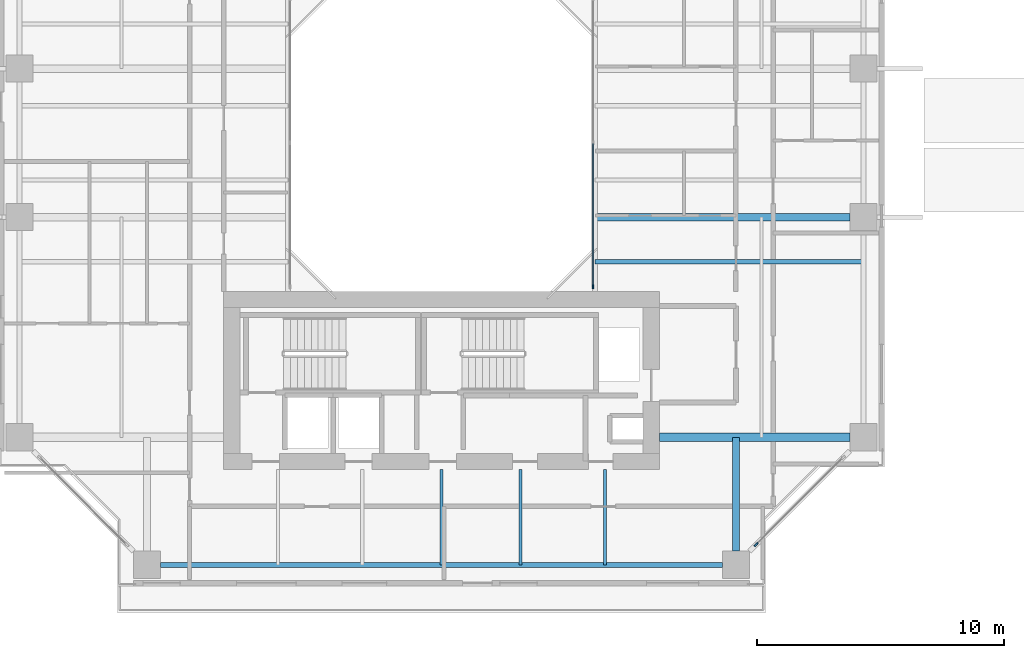
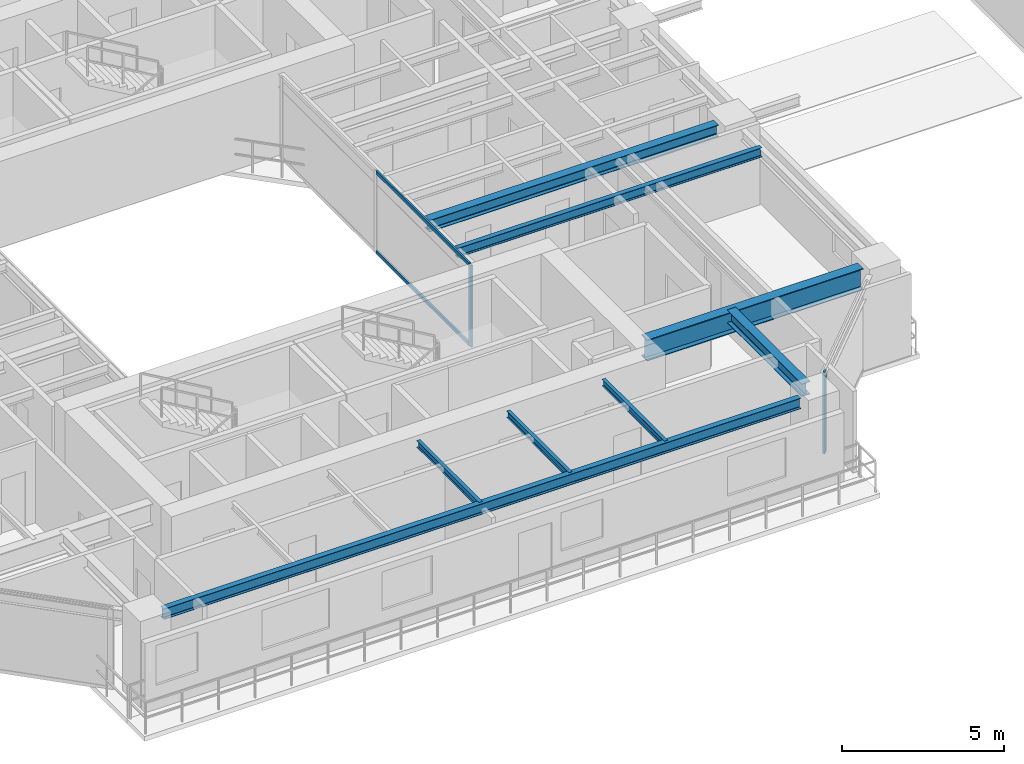
# One storey, part 4 of 23: 8 beams, 4 members, 2 elements without a shape of their own.
"""IFC4 building model written with IfcOpenShell, lengths in metres."""

from ifc_helpers import new_model, si_unit, direction, frame, origin, origin_2d, place, context, subcontext, project, spatial, rectangle, i_section, extrude, source, transform, mapped, material, layer, layer_set, material_profile, profile_set, type_object, element, aggregate, save


model = new_model("IFC4")

# Units and contexts
model_context = context("Model", 3, precision=1e-05, world=origin(), true_north=direction((0.0, 1.0)))
body_context = subcontext(model_context, "Body", "Model", "MODEL_VIEW")
ifc_project = project(units=[si_unit("LENGTHUNIT", "METRE"), si_unit("AREAUNIT", "SQUARE_METRE"), si_unit("VOLUMEUNIT", "CUBIC_METRE"), si_unit("PLANEANGLEUNIT", "RADIAN"), si_unit("MASSUNIT", "GRAM", prefix="KILO"), si_unit("THERMODYNAMICTEMPERATUREUNIT", "KELVIN"), si_unit("POWERUNIT", "WATT")], contexts=[model_context])

# Site, building, storey
site_placement = place(None, origin())
site = spatial("IfcSite", under=ifc_project, at=site_placement, CompositionType="ELEMENT")
building_placement = place(site_placement, origin())
building = spatial("IfcBuilding", under=site, at=building_placement, Name="Qiaomeng Ring Towers", CompositionType="ELEMENT")
storey_placement = place(building_placement, frame((0.0, 0.0, 97.0)))
storey = spatial("IfcBuildingStorey", under=building, at=storey_placement, Name="L27", CompositionType="ELEMENT", Elevation=97.0)

# Beams
ifc_material_1 = material(Name="Steel Q355B", Category="steel")
ifc_material_profile_1 = material_profile(ifc_material_1, i_section(OverallWidth=0.199951171875, OverallDepth=0.39990234375, WebThickness=0.008056640625, FlangeThickness=0.012939453125, FilletRadius=0.01611328125, at=origin_2d()), Name="HN 400x200x8x13")
ifc_profile_set_1 = profile_set([ifc_material_profile_1], Name="Steel Q355B")
beam_type_1 = type_object("IfcBeamType", Name="STR-BM-HN400", PredefinedType="SPANDREL", material=ifc_profile_set_1)
shared_shape_1 = source(origin(), body_context, "Body", "SweptSolid", [
    extrude(i_section(OverallWidth=0.199951171875, OverallDepth=0.39990234375, WebThickness=0.008056640625, FlangeThickness=0.012939453125, FilletRadius=0.01611328125, at=origin_2d()), origin(), (0.0, 0.0, 1.0), 22.7021484375),
])
beam_1_placement = place(storey_placement, frame((7.64892578125, 5.949951171875, 2.8701171875), z_axis=(1.0, 0.0, 0.0), x_axis=(0.0, 1.0, 0.0)))
element("IfcBeam", 1, at=beam_1_placement, inside=storey, type_object=beam_type_1, Name="L27 beam STR-SP-L27-T1-S1-S2", PredefinedType="SPANDREL", context=body_context, shape_type="MappedRepresentation", body=[
    mapped(shared_shape_1, transform((0.0, 0.0, 0.0), x_axis=(1.0, 0.0, 0.0), y_axis=(0.0, 1.0, 0.0), z_axis=(0.0, 0.0, 1.0), scale=1.0)),
])
ifc_material_2 = material(Name="Steel Q390GJC", Category="steel")
ifc_material_profile_2 = material_profile(ifc_material_2, i_section(OverallWidth=0.35009765625, OverallDepth=0.800048828125, WebThickness=0.01611328125, FlangeThickness=0.028076171875, at=origin_2d()), Name="WH 800x350x16x28")
ifc_profile_set_2 = profile_set([ifc_material_profile_2], Name="Steel Q390GJC")
beam_type_2 = type_object("IfcBeamType", Name="STR-BM-WH800", PredefinedType="BEAM", material=ifc_profile_set_2)
shared_shape_2 = source(origin(), body_context, "Body", "SweptSolid", [
    extrude(i_section(OverallWidth=0.35009765625, OverallDepth=0.800048828125, WebThickness=0.01611328125, FlangeThickness=0.028076171875, at=origin_2d()), origin(), (0.0, 0.0, 1.0), 7.700927734375),
])
beam_2_placement = place(storey_placement, frame((27.800048828125, 11.10009765625, 2.669921875), z_axis=(1.0, 0.0, 0.0), x_axis=(0.0, 1.0, 0.0)))
element("IfcBeam", 2, at=beam_2_placement, inside=storey, type_object=beam_type_2, Name="L27 beam STR-BM-L27-T1-RAD-E1", PredefinedType="BEAM", context=body_context, shape_type="MappedRepresentation", body=[
    mapped(shared_shape_2, transform((0.0, 0.0, 0.0), x_axis=(1.0, 0.0, 0.0), y_axis=(0.0, 1.0, 0.0), z_axis=(0.0, 0.0, 1.0), scale=1.0)),
])
ifc_material_profile_3 = material_profile(ifc_material_1, i_section(OverallWidth=0.300048828125, OverallDepth=0.488037109375, WebThickness=0.010986328125, FlangeThickness=0.01806640625, FilletRadius=0.02587890625, at=origin_2d()), Name="HM 488x300x11x18")
ifc_profile_set_3 = profile_set([ifc_material_profile_3], Name="Steel Q355B")
beam_type_3 = type_object("IfcBeamType", Name="STR-BM-HM488", PredefinedType="BEAM", material=ifc_profile_set_3)
shared_shape_3 = source(origin(), body_context, "Body", "SweptSolid", [
    extrude(i_section(OverallWidth=0.300048828125, OverallDepth=0.488037109375, WebThickness=0.010986328125, FlangeThickness=0.01806640625, FilletRadius=0.02587890625, at=origin_2d()), origin(), (0.0, 0.0, 1.0), 4.60107421875),
])
beam_3_placement = place(storey_placement, frame((30.89990234375, 6.4990234375, 2.825927734375), z_axis=(0.0, 1.0, 0.0), x_axis=(-1.0, 0.0, 0.0)))
element("IfcBeam", 3, at=beam_3_placement, inside=storey, type_object=beam_type_3, Name="L27 beam STR-BM-L27-T1-RAD-S2", PredefinedType="BEAM", context=body_context, shape_type="MappedRepresentation", body=[
    mapped(shared_shape_3, transform((0.0, 0.0, 0.0), x_axis=(1.0, 0.0, 0.0), y_axis=(0.0, 1.0, 0.0), z_axis=(0.0, 0.0, 1.0), scale=1.0)),
])
ifc_material_profile_4 = material_profile(ifc_material_1, i_section(OverallWidth=0.300048828125, OverallDepth=0.43994140625, WebThickness=0.010986328125, FlangeThickness=0.01806640625, FilletRadius=0.02392578125, at=origin_2d()), Name="HM 440x300x11x18")
ifc_profile_set_4 = profile_set([ifc_material_profile_4], Name="Steel Q355B")
beam_type_4 = type_object("IfcBeamType", Name="STR-BM-HM440", PredefinedType="BEAM", material=ifc_profile_set_4)
shared_shape_4 = source(origin(), body_context, "Body", "SweptSolid", [
    extrude(i_section(OverallWidth=0.300048828125, OverallDepth=0.43994140625, WebThickness=0.010986328125, FlangeThickness=0.01806640625, FilletRadius=0.02392578125, at=origin_2d()), origin(), (0.0, 0.0, 1.0), 10.301025390625),
])
beam_4_placement = place(storey_placement, frame((25.199951171875, 20.0, 2.85009765625), z_axis=(1.0, 0.0, 0.0), x_axis=(0.0, 1.0, 0.0)))
element("IfcBeam", 4, at=beam_4_placement, inside=storey, type_object=beam_type_4, Name="L27 beam STR-BM-L27-T1-RAD-E2", PredefinedType="BEAM", context=body_context, shape_type="MappedRepresentation", body=[
    mapped(shared_shape_4, transform((0.0, 0.0, 0.0), x_axis=(1.0, 0.0, 0.0), y_axis=(0.0, 1.0, 0.0), z_axis=(0.0, 0.0, 1.0), scale=1.0)),
])
ifc_material_profile_5 = material_profile(ifc_material_1, i_section(OverallWidth=0.125, OverallDepth=0.25, WebThickness=0.006103515625, FlangeThickness=0.009033203125, FilletRadius=0.011962890625, at=origin_2d()), Name="HN 250x125x6x9")
ifc_profile_set_5 = profile_set([ifc_material_profile_5], Name="Steel Q355B")
beam_type_5 = type_object("IfcBeamType", Name="STR-BM-HN250", PredefinedType="JOIST", material=ifc_profile_set_5)
shared_shape_5 = source(origin(), body_context, "Body", "SweptSolid", [
    extrude(i_section(OverallWidth=0.125, OverallDepth=0.25, WebThickness=0.006103515625, FlangeThickness=0.009033203125, FilletRadius=0.011962890625, at=origin_2d()), origin(), (0.0, 0.0, 1.0), 3.85009765625),
])
for number, where, z_axis, x_axis, name in (
    (5, (19.0, 5.949951171875, 2.945068359375), (0.0, 1.0, 0.0), (-1.0, 0.0, 0.0), "L27 beam STR-JST-L27-T1S-3"),
    (6, (22.199951171875, 5.949951171875, 2.945068359375), (0.0, 1.0, 0.0), (-1.0, 0.0, 0.0), "L27 beam STR-JST-L27-T1S-4"),
    (7, (25.60009765625, 5.949951171875, 2.945068359375), (0.0, 1.0, 0.0), (-1.0, 0.0, 0.0), "L27 beam STR-JST-L27-T1S-5"),
):
    element("IfcBeam", number, at=place(storey_placement, frame(where, z_axis=z_axis, x_axis=x_axis)), inside=storey, type_object=beam_type_5, Name=name, PredefinedType="JOIST", context=body_context, shape_type="MappedRepresentation", body=[
        mapped(shared_shape_5, transform((0.0, 0.0, 0.0), x_axis=(1.0, 0.0, 0.0), y_axis=(0.0, 1.0, 0.0), z_axis=(0.0, 0.0, 1.0), scale=1.0)),
    ])
ifc_material_profile_6 = material_profile(ifc_material_1, i_section(OverallWidth=0.175048828125, OverallDepth=0.35009765625, WebThickness=0.007080078125, FlangeThickness=0.010986328125, FilletRadius=0.013916015625, at=origin_2d()), Name="HN 350x175x7x11")
ifc_profile_set_6 = profile_set([ifc_material_profile_6], Name="Steel Q355B")
beam_type_6 = type_object("IfcBeamType", Name="STR-BM-HN350", PredefinedType="JOIST", material=ifc_profile_set_6)
shared_shape_6 = source(origin(), body_context, "Body", "SweptSolid", [
    extrude(i_section(OverallWidth=0.175048828125, OverallDepth=0.35009765625, WebThickness=0.007080078125, FlangeThickness=0.010986328125, FilletRadius=0.013916015625, at=origin_2d()), origin(), (0.0, 0.0, 1.0), 10.85009765625),
])
beam_5_placement = place(storey_placement, frame((25.199951171875, 18.199951171875, 2.89501953125), z_axis=(1.0, 0.0, 0.0), x_axis=(0.0, 1.0, 0.0)))
element("IfcBeam", 8, at=beam_5_placement, inside=storey, type_object=beam_type_6, Name="L27 beam STR-JST-L27-T1E-1", PredefinedType="JOIST", context=body_context, shape_type="MappedRepresentation", body=[
    mapped(shared_shape_6, transform((0.0, 0.0, 0.0), x_axis=(1.0, 0.0, 0.0), y_axis=(0.0, 1.0, 0.0), z_axis=(0.0, 0.0, 1.0), scale=1.0)),
])

# Curtain wall, members
ifc_material_3 = material(Name="Fluorocarbon dark-grey aluminium", Category="aluminium")
ifc_layer_1 = layer(ifc_material_3, 0.139892578125, Name="Fluorocarbon dark-grey aluminium")
ifc_layer_set_1 = layer_set([ifc_layer_1], Name="Fluorocarbon dark-grey aluminium")
curtain_wall_type_1 = type_object("IfcCurtainWallType", Name="ARC-CW-4", PredefinedType="NOTDEFINED", material=ifc_layer_set_1)
curtain_wall_1_placement = place(storey_placement, origin())
curtain_wall_1 = element("IfcCurtainWall", 9, at=curtain_wall_1_placement, inside=storey, type_object=curtain_wall_type_1, Name="L27 Curtain Wall CW4", PredefinedType="NOTDEFINED")
ifc_material_profile_7 = material_profile(ifc_material_3, rectangle(XDim=0.06494140625, YDim=0.159912109375, at=origin_2d()), Name="ALU MULL 65x160")
ifc_profile_set_7 = profile_set([ifc_material_profile_7], Name="Fluorocarbon dark-grey aluminium")
member_type_1 = type_object("IfcMemberType", Name="ARC-CWM-140", PredefinedType="MULLION", material=ifc_profile_set_7)
shared_shape_7 = source(origin(), body_context, "Body", "SweptSolid", [
    extrude(rectangle(XDim=0.06494140625, YDim=0.159912109375, at=origin_2d()), origin(), (0.0, 0.0, 1.0), 3.070068359375),
])
member_1_placement = place(storey_placement, frame((25.1201171875, 17.1826171875, 0.0), z_axis=(0.0, 0.0, 1.0), x_axis=(-1.0, 0.0, 0.0)))
member_1 = element("IfcMember", 10, at=member_1_placement, type_object=member_type_1, Name="CW4 mullion 1", PredefinedType="MULLION", context=body_context, shape_type="MappedRepresentation", body=[
    mapped(shared_shape_7, transform((0.0, 0.0, 0.0), x_axis=(1.0, 0.0, 0.0), y_axis=(0.0, 1.0, 0.0), z_axis=(0.0, 0.0, 1.0), scale=1.0)),
])
ifc_material_profile_8 = material_profile(ifc_material_3, rectangle(XDim=0.06494140625, YDim=0.1298828125, at=origin_2d()), Name="ALU TRAN 65x130")
ifc_profile_set_8 = profile_set([ifc_material_profile_8], Name="Fluorocarbon dark-grey aluminium")
member_type_2 = type_object("IfcMemberType", Name="ARC-CWT-120", PredefinedType="USERDEFINED", material=ifc_profile_set_8)
shared_shape_8 = source(origin(), body_context, "Body", "SweptSolid", [
    extrude(rectangle(XDim=0.06494140625, YDim=0.1298828125, at=origin_2d()), origin(), (0.0, 0.0, 1.0), 5.75244140625),
])
member_2_placement = place(storey_placement, frame((25.1201171875, 17.215087890625, 0.032470703125), z_axis=(0.0, 1.0, 0.0), x_axis=(-1.0, 0.0, 0.0)))
member_2 = element("IfcMember", 11, at=member_2_placement, type_object=member_type_2, Name="CW4 transom 1.1", ObjectType="TRANSOM", PredefinedType="USERDEFINED", context=body_context, shape_type="MappedRepresentation", body=[
    mapped(shared_shape_8, transform((0.0, 0.0, 0.0), x_axis=(1.0, 0.0, 0.0), y_axis=(0.0, 1.0, 0.0), z_axis=(0.0, 0.0, 1.0), scale=1.0)),
])
member_3_placement = place(storey_placement, frame((25.1201171875, 17.215087890625, 3.03759765625), z_axis=(0.0, 1.0, 0.0), x_axis=(-1.0, 0.0, 0.0)))
member_3 = element("IfcMember", 12, at=member_3_placement, type_object=member_type_2, Name="CW4 transom 1.2", ObjectType="TRANSOM", PredefinedType="USERDEFINED", context=body_context, shape_type="MappedRepresentation", body=[
    mapped(shared_shape_8, transform((0.0, 0.0, 0.0), x_axis=(1.0, 0.0, 0.0), y_axis=(0.0, 1.0, 0.0), z_axis=(0.0, 0.0, 1.0), scale=1.0)),
])
aggregate(curtain_wall_1, [member_1, member_2, member_3])

# Curtain wall, member
ifc_layer_2 = layer(ifc_material_3, 0.14990234375, Name="Fluorocarbon dark-grey aluminium")
ifc_layer_set_2 = layer_set([ifc_layer_2], Name="Fluorocarbon dark-grey aluminium")
curtain_wall_type_2 = type_object("IfcCurtainWallType", Name="ARC-CW-3", PredefinedType="NOTDEFINED", material=ifc_layer_set_2)
curtain_wall_2_placement = place(storey_placement, origin())
curtain_wall_2 = element("IfcCurtainWall", 13, at=curtain_wall_2_placement, inside=storey, type_object=curtain_wall_type_2, Name="L27 Curtain Wall CW3", PredefinedType="NOTDEFINED")
ifc_material_profile_9 = material_profile(ifc_material_3, rectangle(XDim=0.070068359375, YDim=0.179931640625, at=origin_2d()), Name="ALU MULL 70x180")
ifc_profile_set_9 = profile_set([ifc_material_profile_9], Name="Fluorocarbon dark-grey aluminium")
member_type_3 = type_object("IfcMemberType", Name="ARC-CWM-160", PredefinedType="MULLION", material=ifc_profile_set_9)
shared_shape_9 = source(origin(), body_context, "Body", "SweptSolid", [
    extrude(rectangle(XDim=0.070068359375, YDim=0.179931640625, at=origin_2d()), origin(), (0.0, 0.0, 1.0), 3.070068359375),
])
member_4_placement = place(storey_placement, frame((31.71484375, 6.7646484375, 0.0), z_axis=(0.0, 0.0, 1.0), x_axis=(-0.707106781187, 0.707106781187, 0.0)))
member_4 = element("IfcMember", 14, at=member_4_placement, type_object=member_type_3, Name="CW3 mullion 1", PredefinedType="MULLION", context=body_context, shape_type="MappedRepresentation", body=[
    mapped(shared_shape_9, transform((0.0, 0.0, 0.0), x_axis=(1.0, 0.0, 0.0), y_axis=(0.0, 1.0, 0.0), z_axis=(0.0, 0.0, 1.0), scale=1.0)),
])
aggregate(curtain_wall_2, [member_4])

save(model, "model.ifc")
